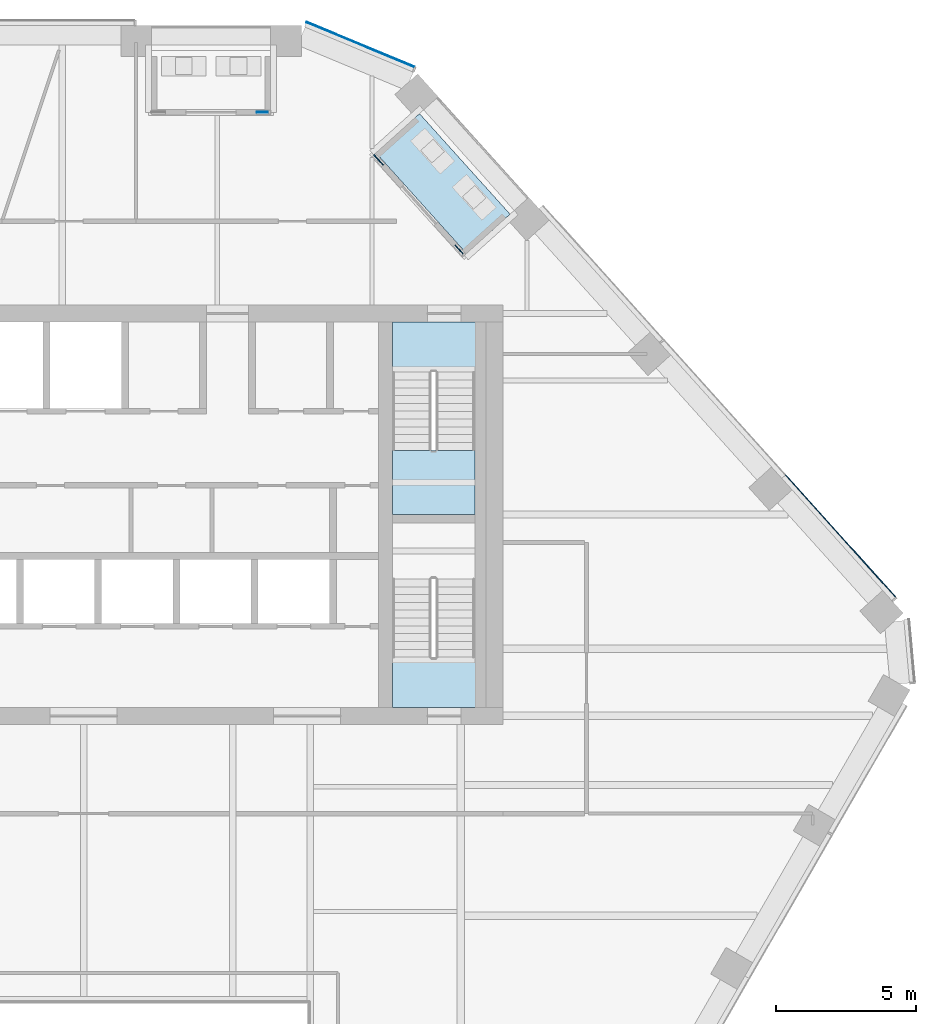
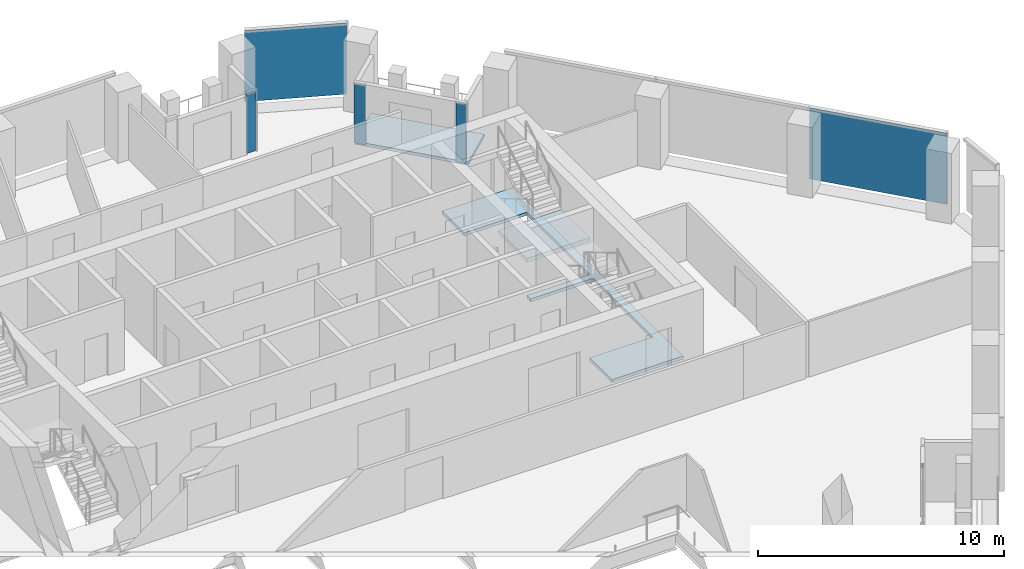
# One storey, part 14 of 24: 5 plates, 3 slabs, 5 elements without a shape of their own.
"""IFC4 building model written with IfcOpenShell, lengths in metres."""

from ifc_helpers import new_model, si_unit, direction, frame, origin, origin_2d, place, context, subcontext, project, spatial, polyline, rectangle, outline, extrude, material, layer, layer_set, type_object, element, aggregate, save


model = new_model("IFC4")

# Units and contexts
model_context = context("Model", 3, precision=1e-05, world=origin(), true_north=direction((0.0, 1.0)))
body_context = subcontext(model_context, "Body", "Model", "MODEL_VIEW")
ifc_project = project(units=[si_unit("LENGTHUNIT", "METRE"), si_unit("AREAUNIT", "SQUARE_METRE"), si_unit("VOLUMEUNIT", "CUBIC_METRE"), si_unit("PLANEANGLEUNIT", "RADIAN"), si_unit("MASSUNIT", "GRAM", prefix="KILO")], contexts=[model_context])

# Site, building, storey
site_placement = place(None, origin())
site = spatial("IfcSite", under=ifc_project, at=site_placement, CompositionType="ELEMENT")
building_placement = place(site_placement, origin())
building = spatial("IfcBuilding", under=site, at=building_placement, Name="Isthmus Gate Tower", CompositionType="ELEMENT")
storey_placement = place(building_placement, frame((0.0, 0.0, 219.949951171875)))
storey = spatial("IfcBuildingStorey", under=building, at=storey_placement, Name="L55", CompositionType="ELEMENT", Elevation=219.949951171875)

# Slab
ifc_material_1 = material(Name="Concrete f'c 40 MPa", Category="concrete")
ifc_layer_1 = layer(ifc_material_1, 0.14990234375)
ifc_layer_set_1 = layer_set([ifc_layer_1], Name="CORE FLOOR SLAB 150")
slab_type_1 = type_object("IfcSlabType", Name="CORE FLOOR SLAB 150", PredefinedType="FLOOR", material=ifc_layer_set_1)
slab_1_placement = place(storey_placement, frame((0.0, 0.0, -0.14990234375)))
element("IfcSlab", 1, at=slab_1_placement, inside=storey, type_object=slab_type_1, Name="L55 core floor", PredefinedType="FLOOR", context=body_context, shape_type="SweptSolid", body=[
    extrude(outline(polyline([(11.050048828125, 14.39990234375), (11.050048828125, 12.597900390625), (14.0, 12.597900390625), (14.0, 7.5), (11.050048828125, 7.5), (11.050048828125, 7.199951171875), (14.0, 7.199951171875), (14.0, 2.402099609375), (11.050048828125, 2.402099609375), (11.050048828125, 0.60009765625), (14.39990234375, 0.60009765625), (14.39990234375, 14.39990234375), (11.050048828125, 14.39990234375)])), origin(), (0.0, 0.0, 1.0), 0.14990234375),
])

# Curtain wall, plate
ifc_material_2 = material(Name="Aluminium, pale champagne anodised", Category="aluminium")
ifc_layer_2 = layer(ifc_material_2, 0.199951171875)
ifc_layer_set_2 = layer_set([ifc_layer_2], Name="CW-1 UNITISED CURTAIN WALL 200 DEEP")
curtain_wall_type_1 = type_object("IfcCurtainWallType", Name="CW-1 UNITISED CURTAIN WALL 200 DEEP", PredefinedType="NOTDEFINED", material=ifc_layer_set_2)
curtain_wall_1_placement = place(storey_placement, origin())
curtain_wall_1 = element("IfcCurtainWall", 2, at=curtain_wall_1_placement, inside=storey, type_object=curtain_wall_type_1, Name="CW-1 NE L55", PredefinedType="NOTDEFINED")
ifc_material_3 = material(Name="Laminated low-iron glass, pale blue tint", Category="glass")
ifc_layer_3 = layer(ifc_material_3, 0.031982421875)
ifc_layer_set_3 = layer_set([ifc_layer_3], Name="CW-1 CLEAR GLASS LITE 32")
plate_type_1 = type_object("IfcPlateType", Name="CW-1 CLEAR GLASS LITE 32", PredefinedType="CURTAIN_PANEL", material=ifc_layer_set_3)
plate_1_placement = place(storey_placement, frame((27.0908203125, 6.733154296875, 0.0), z_axis=(0.0, 0.0, 1.0), x_axis=(-0.669130606359, 0.743144825477, 0.0)))
plate_1 = element("IfcPlate", 3, at=plate_1_placement, type_object=plate_type_1, Name="CW-1 glass lite", PredefinedType="CURTAIN_PANEL", context=body_context, shape_type="SweptSolid", body=[
    extrude(rectangle(XDim=5.8818359375, YDim=0.031982421875, at=origin_2d()), origin(), (0.0, 0.0, 1.0), 3.52001953125),
])
aggregate(curtain_wall_1, [plate_1])

curtain_wall_2_placement = place(storey_placement, origin())
curtain_wall_2 = element("IfcCurtainWall", 4, at=curtain_wall_2_placement, inside=storey, type_object=curtain_wall_type_1, Name="CW-1 NE-N L55", PredefinedType="NOTDEFINED")
plate_2_placement = place(storey_placement, frame((9.907470703125, 24.3193359375, 0.0), z_axis=(0.0, 0.0, 1.0), x_axis=(-0.923353128387, 0.383951820282, 0.0)))
plate_2 = element("IfcPlate", 5, at=plate_2_placement, type_object=plate_type_1, Name="CW-1 glass lite", PredefinedType="CURTAIN_PANEL", context=body_context, shape_type="SweptSolid", body=[
    extrude(rectangle(XDim=4.181396484375, YDim=0.031982421875, at=origin_2d()), origin(), (0.0, 0.0, 1.0), 3.52001953125),
])
aggregate(curtain_wall_2, [plate_2])

ifc_material_4 = material(Name="Aluminium, pale champagne anodised", Category="aluminium")
ifc_layer_4 = layer(ifc_material_4, 0.14990234375)
ifc_layer_set_4 = layer_set([ifc_layer_4], Name="CW-6 LOGGIA BACK WALL GLAZING 150 DEEP")
curtain_wall_type_2 = type_object("IfcCurtainWallType", Name="CW-6 LOGGIA BACK WALL GLAZING 150 DEEP", PredefinedType="NOTDEFINED", material=ifc_layer_set_4)
curtain_wall_3_placement = place(storey_placement, origin())
curtain_wall_3 = element("IfcCurtainWall", 6, at=curtain_wall_3_placement, inside=storey, type_object=curtain_wall_type_2, Name="CW-6 N L55", PredefinedType="NOTDEFINED")
ifc_material_5 = material(Name="Laminated low-iron glass, clear", Category="glass")
ifc_layer_5 = layer(ifc_material_5, 0.031982421875)
ifc_layer_set_5 = layer_set([ifc_layer_5], Name="CW-6 CLEAR GLASS LITE 32")
plate_type_2 = type_object("IfcPlateType", Name="CW-6 CLEAR GLASS LITE 32", PredefinedType="CURTAIN_PANEL", material=ifc_layer_set_5)
plate_3_placement = place(storey_placement, frame((6.4111328125, 21.89990234375, 0.0), z_axis=(0.0, 0.0, 1.0), x_axis=(-1.0, 0.0, 0.0)))
plate_3 = element("IfcPlate", 7, at=plate_3_placement, type_object=plate_type_2, Name="CW-6 glass lite", PredefinedType="CURTAIN_PANEL", context=body_context, shape_type="SweptSolid", body=[
    extrude(rectangle(XDim=0.43994140625, YDim=0.031982421875, at=origin_2d()), origin(), (0.0, 0.0, 1.0), 2.929931640625),
])
aggregate(curtain_wall_3, [plate_3])

# Curtain wall, plates
curtain_wall_4_placement = place(storey_placement, origin())
curtain_wall_4 = element("IfcCurtainWall", 8, at=curtain_wall_4_placement, inside=storey, type_object=curtain_wall_type_2, Name="CW-6 NE L55", PredefinedType="NOTDEFINED")
plate_4_placement = place(storey_placement, frame((13.439208984375, 16.98681640625, 0.0), z_axis=(0.0, 0.0, 1.0), x_axis=(-0.669130606359, 0.743144825477, 0.0)))
plate_4 = element("IfcPlate", 9, at=plate_4_placement, type_object=plate_type_2, Name="CW-6 glass lite", PredefinedType="CURTAIN_PANEL", context=body_context, shape_type="SweptSolid", body=[
    extrude(rectangle(XDim=0.43994140625, YDim=0.031982421875, at=origin_2d()), origin(), (0.0, 0.0, 1.0), 2.929931640625),
])
plate_5_placement = place(storey_placement, frame((10.553955078125, 20.191162109375, 0.0), z_axis=(0.0, 0.0, 1.0), x_axis=(-0.669130606359, 0.743144825477, 0.0)))
plate_5 = element("IfcPlate", 10, at=plate_5_placement, type_object=plate_type_2, Name="CW-6 glass lite", PredefinedType="CURTAIN_PANEL", context=body_context, shape_type="SweptSolid", body=[
    extrude(rectangle(XDim=0.5, YDim=0.031982421875, at=origin_2d()), origin(), (0.0, 0.0, 1.0), 2.929931640625),
])
aggregate(curtain_wall_4, [plate_4, plate_5])

# Slab
ifc_material_6 = material(Name="Concrete f'c 50 MPa", Category="concrete")
ifc_layer_6 = layer(ifc_material_6, 0.14990234375)
ifc_layer_set_6 = layer_set([ifc_layer_6], Name="LOGGIA FLOOR SLAB 150")
slab_type_2 = type_object("IfcSlabType", Name="LOGGIA FLOOR SLAB 150", PredefinedType="FLOOR", material=ifc_layer_set_6)
slab_2_placement = place(storey_placement, frame((0.0, 0.0, -0.14990234375)))
element("IfcSlab", 11, at=slab_2_placement, inside=storey, type_object=slab_type_2, Name="LOGGIA FLOOR", PredefinedType="FLOOR", context=body_context, shape_type="SweptSolid", body=[
    extrude(outline(polyline([(15.261474609375, 18.2509765625), (12.021484375, 21.84912109375), (10.4609375, 20.444091796875), (13.700927734375, 16.845703125), (15.261474609375, 18.2509765625)])), origin(), (0.0, 0.0, 1.0), 0.14990234375),
])

# Stair, slab
ifc_material_7 = material(Name="Concrete f'c 40 MPa", Category="concrete")
stair_type = type_object("IfcStairType", Name="CORE STAIR 22 RISERS", PredefinedType="HALF_TURN_STAIR", material=ifc_material_7)
stair_placement = place(storey_placement, origin())
stair = element("IfcStair", 12, at=stair_placement, inside=storey, type_object=stair_type, Name="L55 Exit Stair 2", PredefinedType="HALF_TURN_STAIR")
ifc_material_8 = material(Name="Concrete f'c 40 MPa", Category="concrete")
ifc_layer_7 = layer(ifc_material_8, 0.199951171875)
ifc_layer_set_7 = layer_set([ifc_layer_7])
slab_type_3 = type_object("IfcSlabType", Name="STAIR LANDING RC 200", PredefinedType="LANDING", material=ifc_layer_set_7)
slab_3_placement = place(storey_placement, frame((0.0, 0.0, 1.625)))
slab_3 = element("IfcSlab", 13, at=slab_3_placement, type_object=slab_type_3, Name="ST2 landing 1", PredefinedType="LANDING", context=body_context, shape_type="SweptSolid", body=[
    extrude(outline(polyline([(11.050048828125, 9.800048828125), (11.050048828125, 7.5), (14.0, 7.5), (14.0, 9.800048828125), (11.050048828125, 9.800048828125)])), origin(), (0.0, 0.0, 1.0), 0.199951171875),
])
aggregate(stair, [slab_3])

save(model, "model.ifc")
